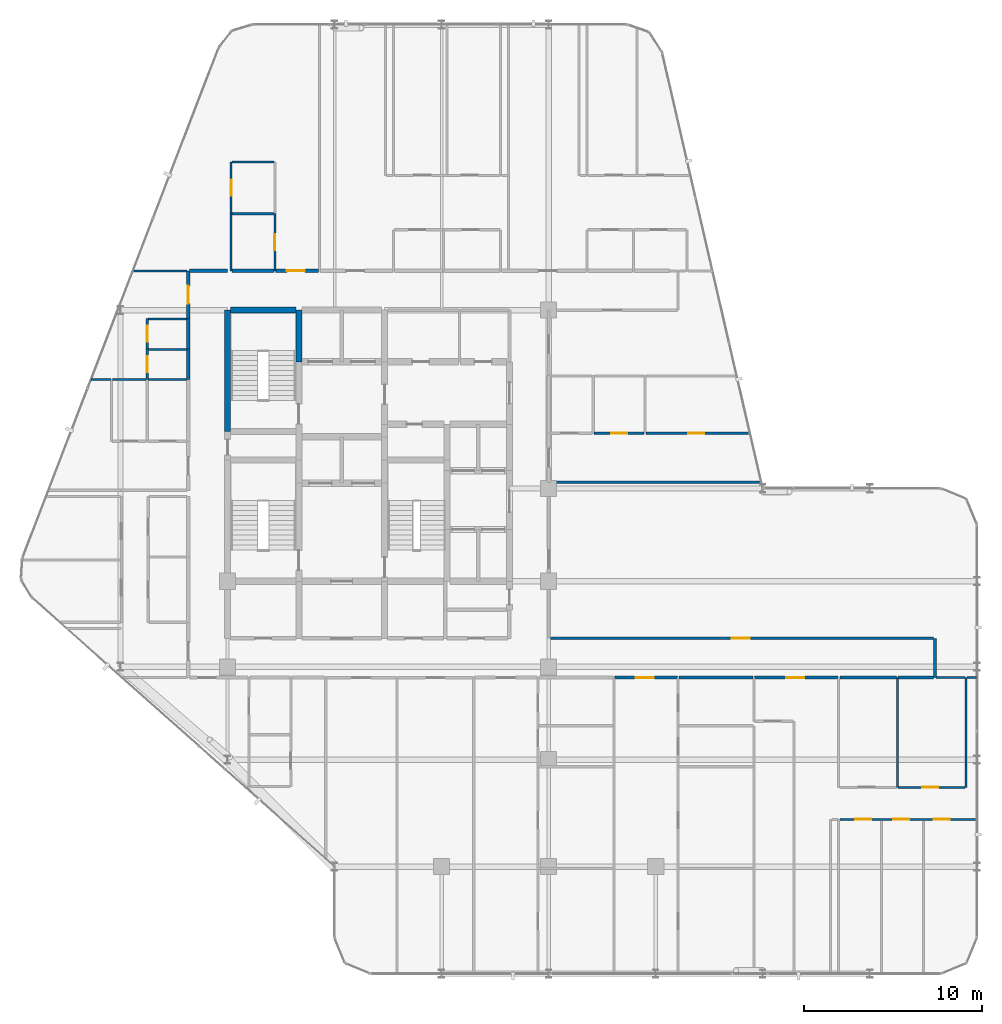
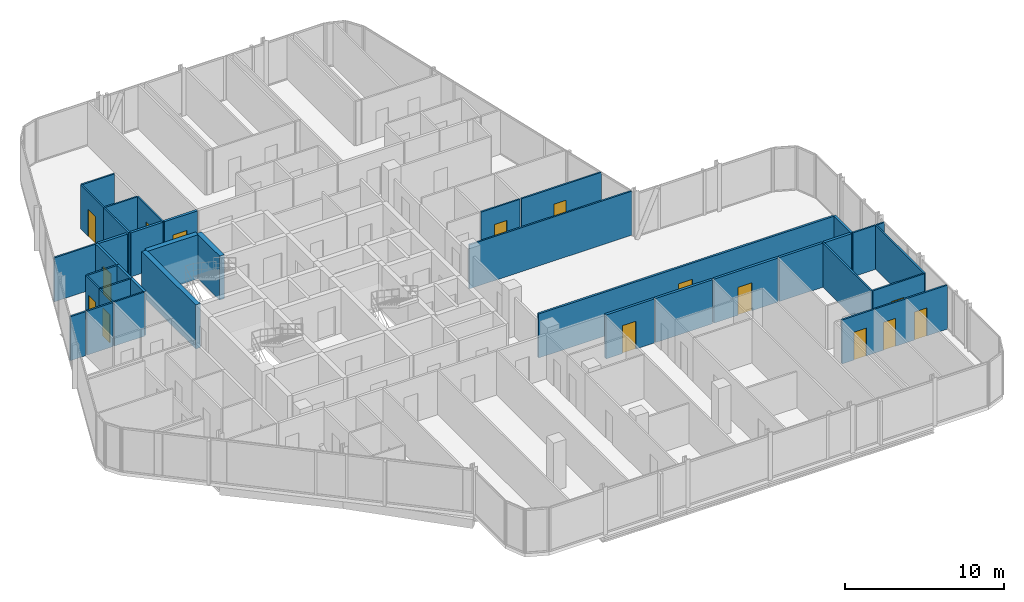
# One storey, part 26 of 29: 38 walls, 15 doors, 15 openings.
"""IFC4 building model written with IfcOpenShell, lengths in metres."""

from ifc_helpers import new_model, si_unit, direction, frame, frame_2d, origin, place, context, subcontext, project, spatial, rectangle, extrude, material, layer, layer_set, type_object, element, fill, save


model = new_model("IFC4")

# Units and contexts
model_context = context("Model", 3, precision=1e-05, world=origin(), true_north=direction((0.0, 1.0)))
body_context = subcontext(model_context, "Body", "Model", "MODEL_VIEW")
ifc_project = project(units=[si_unit("LENGTHUNIT", "METRE"), si_unit("AREAUNIT", "SQUARE_METRE"), si_unit("VOLUMEUNIT", "CUBIC_METRE"), si_unit("PLANEANGLEUNIT", "RADIAN"), si_unit("MASSUNIT", "GRAM", prefix="KILO")], contexts=[model_context])

# Site, building, storey
site_placement = place(None, origin())
site = spatial("IfcSite", under=ifc_project, at=site_placement, CompositionType="ELEMENT")
building_placement = place(site_placement, origin())
building = spatial("IfcBuilding", under=site, at=building_placement, Name="Keshet Zoharim Tower", CompositionType="ELEMENT")
storey_placement = place(building_placement, frame((0.0, 0.0, 195.800048828125)))
storey = spatial("IfcBuildingStorey", under=building, at=storey_placement, Name="L48", CompositionType="ELEMENT", Elevation=195.800048828125)

# Wall
ifc_material_1 = material(Name="Gypsum Plasterboard", Category="gypsum")
ifc_layer_1 = layer(ifc_material_1, 0.14990234375)
ifc_layer_set_1 = layer_set([ifc_layer_1], Name="Gypsum Plasterboard")
wall_type_1 = type_object("IfcWallType", Name="WL-CLIN-150", PredefinedType="STANDARD", material=ifc_layer_set_1)
wall_1_placement = place(storey_placement, frame((54.64990234375, 17.31005859375, 0.0), z_axis=(0.0, 0.0, 1.0), x_axis=(0.0, 1.0, 0.0)))
element("IfcWall", 1, at=wall_1_placement, inside=storey, type_object=wall_type_1, Name="L48 Interior Wall 102", PredefinedType="STANDARD", context=body_context, shape_type="SweptSolid", body=[
    extrude(rectangle(XDim=2.18994140625, YDim=0.14990234375, at=frame_2d((1.094970703125, 0.0))), origin(), (0.0, 0.0, 1.0), 3.389892578125),
])

# Wall, opening, door
wall_2_placement = place(storey_placement, frame((33.070068359375, 19.5, 0.0), z_axis=(0.0, 0.0, 1.0), x_axis=(1.0, 0.0, 0.0)))
wall_2 = element("IfcWall", 2, at=wall_2_placement, inside=storey, type_object=wall_type_1, Name="L48 Interior Wall 136", PredefinedType="STANDARD", context=body_context, shape_type="SweptSolid", body=[
    extrude(rectangle(XDim=21.510009765625, YDim=0.14990234375, at=frame_2d((10.7548828125, 0.0))), origin(), (0.0, 0.0, 1.0), 3.389892578125),
])
opening_1_placement = place(wall_2_placement, frame((10.18505859375, 0.0, 0.0)))
opening_1 = element("IfcOpeningElement", 3, at=opening_1_placement, cuts=wall_2, Name="Opening D-F310", PredefinedType="OPENING", context=body_context, shape_type="SweptSolid", body=[
    extrude(rectangle(XDim=1.0, YDim=2.14990234375, at=frame_2d((0.5, 1.074951171875))), frame((0.0, 0.0849609375, 0.0), z_axis=(0.0, -1.0, 0.0), x_axis=(1.0, 0.0, 0.0)), (0.0, 0.0, 1.0), 0.169921875),
])
ifc_material_2 = material(Name="Hardwood Timber", Category="wood")
door_type_1 = type_object("IfcDoorType", Name="DR-FD30-100", OperationType="NOTDEFINED", PredefinedType="DOOR", material=ifc_material_2)
door_1_placement = place(opening_1_placement, origin())
door_1 = element("IfcDoor", 4, at=door_1_placement, inside=storey, type_object=door_type_1, Name="L48 South East Residents Services Suite Door 1", OperationType="SINGLE_SWING_RIGHT", OverallHeight=2.14990234375, OverallWidth=1.0, PredefinedType="DOOR", context=body_context, shape_type="SweptSolid", body=[
    extrude(rectangle(XDim=1.0, YDim=2.14990234375, at=frame_2d((0.5, 1.074951171875))), frame((0.0, 0.02490234375, 0.0), z_axis=(0.0, -1.0, 0.0), x_axis=(1.0, 0.0, 0.0)), (0.0, 0.0, 1.0), 0.050048828125),
])
fill(opening_1, door_1)

# Walls
ifc_material_3 = material(Name="Concrete C60/75", Category="concrete")
ifc_layer_2 = layer(ifc_material_3, 0.35009765625)
ifc_layer_set_2 = layer_set([ifc_layer_2], Name="Concrete C60/75")
wall_type_2 = type_object("IfcWallType", Name="WL-CORE-350", PredefinedType="SHEAR", material=ifc_layer_set_2)
wall_3_placement = place(storey_placement, frame((15.0, 31.10009765625, 0.0), z_axis=(0.0, 0.0, 1.0), x_axis=(0.0, 1.0, 0.0)))
element("IfcWall", 5, at=wall_3_placement, inside=storey, type_object=wall_type_2, Name="L48 Core Shear Wall 019", PredefinedType="SHEAR", context=body_context, shape_type="SweptSolid", body=[
    extrude(rectangle(XDim=6.7998046875, YDim=0.35009765625, at=frame_2d((3.39990234375, 0.0))), origin(), (0.0, 0.0, 1.0), 3.389892578125),
])
wall_4_placement = place(storey_placement, frame((19.0, 35.0, 0.0), z_axis=(0.0, 0.0, 1.0), x_axis=(0.0, 1.0, 0.0)))
element("IfcWall", 6, at=wall_4_placement, inside=storey, type_object=wall_type_2, Name="L48 Core Shear Wall 032", PredefinedType="SHEAR", context=body_context, shape_type="SweptSolid", body=[
    extrude(rectangle(XDim=2.89990234375, YDim=0.35009765625, at=frame_2d((1.449951171875, 0.0))), origin(), (0.0, 0.0, 1.0), 3.389892578125),
])
wall_5_placement = place(storey_placement, frame((15.159912109375, 37.89990234375, 0.0), z_axis=(0.0, 0.0, 1.0), x_axis=(1.0, 0.0, 0.0)))
element("IfcWall", 7, at=wall_5_placement, inside=storey, type_object=wall_type_2, Name="L48 Core Shear Wall 177", PredefinedType="SHEAR", context=body_context, shape_type="SweptSolid", body=[
    extrude(rectangle(XDim=3.68017578125, YDim=0.35009765625, at=frame_2d((1.840087890625, 0.0))), origin(), (0.0, 0.0, 1.0), 3.389892578125),
])
ifc_layer_3 = layer(ifc_material_1, 0.179931640625)
ifc_layer_set_3 = layer_set([ifc_layer_3], Name="Gypsum Plasterboard")
wall_type_3 = type_object("IfcWallType", Name="WL-CORR-180", PredefinedType="STANDARD", material=ifc_layer_set_3)
for number, where, z_axis, x_axis, name in (
    (8, (12.800048828125, 34.0, 0.0), (0.0, 0.0, 1.0), (0.0, 1.0, 0.0), "L48 Interior Wall 013"),
    (9, (12.800048828125, 35.7080078125, 0.0), (0.0, 0.0, 1.0), (0.0, 1.0, 0.0), "L48 Interior Wall 014"),
):
    element("IfcWall", number, at=place(storey_placement, frame(where, z_axis=z_axis, x_axis=x_axis)), inside=storey, type_object=wall_type_3, Name=name, PredefinedType="STANDARD", context=body_context, shape_type="SweptSolid", body=[
        extrude(rectangle(XDim=1.7080078125, YDim=0.179931640625, at=frame_2d((0.85400390625, 0.0))), origin(), (0.0, 0.0, 1.0), 3.389892578125),
    ])

# Wall, opening, door
wall_6_placement = place(storey_placement, frame((12.800048828125, 37.416015625, 0.0), z_axis=(0.0, 0.0, 1.0), x_axis=(0.0, 1.0, 0.0)))
wall_6 = element("IfcWall", 10, at=wall_6_placement, inside=storey, type_object=wall_type_3, Name="L48 Interior Wall 015", PredefinedType="STANDARD", context=body_context, shape_type="SweptSolid", body=[
    extrude(rectangle(XDim=2.68408203125, YDim=0.179931640625, at=frame_2d((1.342041015625, 0.0))), origin(), (0.0, 0.0, 1.0), 3.389892578125),
])
opening_2_placement = place(wall_6_placement, frame((0.842041015625, 0.0, 0.0)))
opening_2 = element("IfcOpeningElement", 11, at=opening_2_placement, cuts=wall_6, Name="Opening D-F310", PredefinedType="OPENING", context=body_context, shape_type="SweptSolid", body=[
    extrude(rectangle(XDim=1.0, YDim=2.14990234375, at=frame_2d((0.5, 1.074951171875))), frame((0.0, 0.10009765625, 0.0), z_axis=(0.0, -1.0, 0.0), x_axis=(1.0, 0.0, 0.0)), (0.0, 0.0, 1.0), 0.199951171875),
])
door_2_placement = place(opening_2_placement, origin())
door_2 = element("IfcDoor", 12, at=door_2_placement, inside=storey, type_object=door_type_1, Name="Apartment 4810 Entrance Door", OperationType="SINGLE_SWING_RIGHT", OverallHeight=2.14990234375, OverallWidth=1.0, PredefinedType="DOOR", context=body_context, shape_type="SweptSolid", body=[
    extrude(rectangle(XDim=1.0, YDim=2.14990234375, at=frame_2d((0.5, 1.074951171875))), frame((0.0, 0.02490234375, 0.0), z_axis=(0.0, -1.0, 0.0), x_axis=(1.0, 0.0, 0.0)), (0.0, 0.0, 1.0), 0.050048828125),
])
fill(opening_2, door_2)

wall_7_placement = place(storey_placement, frame((36.695068359375, 17.300048828125, 0.0), z_axis=(0.0, 0.0, 1.0), x_axis=(1.0, 0.0, 0.0)))
wall_7 = element("IfcWall", 13, at=wall_7_placement, inside=storey, type_object=wall_type_3, Name="L48 Interior Wall 125", PredefinedType="STANDARD", context=body_context, shape_type="SweptSolid", body=[
    extrude(rectangle(XDim=3.510009765625, YDim=0.179931640625, at=frame_2d((1.7548828125, 0.0))), origin(), (0.0, 0.0, 1.0), 3.389892578125),
])
opening_3_placement = place(wall_7_placement, frame((1.18505859375, 0.0, 0.0)))
opening_3 = element("IfcOpeningElement", 14, at=opening_3_placement, cuts=wall_7, Name="Opening D-F310", PredefinedType="OPENING", context=body_context, shape_type="SweptSolid", body=[
    extrude(rectangle(XDim=1.0, YDim=2.14990234375, at=frame_2d((0.5, 1.074951171875))), frame((0.0, 0.10009765625, 0.0), z_axis=(0.0, -1.0, 0.0), x_axis=(1.0, 0.0, 0.0)), (0.0, 0.0, 1.0), 0.199951171875),
])
door_3_placement = place(opening_3_placement, origin())
door_3 = element("IfcDoor", 15, at=door_3_placement, inside=storey, type_object=door_type_1, Name="Apartment 4803 Entrance Door", OperationType="SINGLE_SWING_RIGHT", OverallHeight=2.14990234375, OverallWidth=1.0, PredefinedType="DOOR", context=body_context, shape_type="SweptSolid", body=[
    extrude(rectangle(XDim=1.0, YDim=2.14990234375, at=frame_2d((0.5, 1.074951171875))), frame((0.0, 0.02490234375, 0.0), z_axis=(0.0, -1.0, 0.0), x_axis=(1.0, 0.0, 0.0)), (0.0, 0.0, 1.0), 0.050048828125),
])
fill(opening_3, door_3)

# Wall
wall_8_placement = place(storey_placement, frame((40.294921875, 17.300048828125, 0.0), z_axis=(0.0, 0.0, 1.0), x_axis=(1.0, 0.0, 0.0)))
element("IfcWall", 16, at=wall_8_placement, inside=storey, type_object=wall_type_3, Name="L48 Interior Wall 126", PredefinedType="STANDARD", context=body_context, shape_type="SweptSolid", body=[
    extrude(rectangle(XDim=4.16015625, YDim=0.179931640625, at=frame_2d((2.080078125, 0.0))), origin(), (0.0, 0.0, 1.0), 3.389892578125),
])

# Wall, opening, door
wall_9_placement = place(storey_placement, frame((44.544921875, 17.300048828125, 0.0), z_axis=(0.0, 0.0, 1.0), x_axis=(1.0, 0.0, 0.0)))
wall_9 = element("IfcWall", 17, at=wall_9_placement, inside=storey, type_object=wall_type_3, Name="L48 Interior Wall 127", PredefinedType="STANDARD", context=body_context, shape_type="SweptSolid", body=[
    extrude(rectangle(XDim=4.68017578125, YDim=0.179931640625, at=frame_2d((2.340087890625, 0.0))), origin(), (0.0, 0.0, 1.0), 3.389892578125),
])
opening_4_placement = place(wall_9_placement, frame((1.76904296875, 0.0, 0.0)))
opening_4 = element("IfcOpeningElement", 18, at=opening_4_placement, cuts=wall_9, Name="Opening D-F310", PredefinedType="OPENING", context=body_context, shape_type="SweptSolid", body=[
    extrude(rectangle(XDim=1.0, YDim=2.14990234375, at=frame_2d((0.5, 1.074951171875))), frame((0.0, 0.10009765625, 0.0), z_axis=(0.0, -1.0, 0.0), x_axis=(1.0, 0.0, 0.0)), (0.0, 0.0, 1.0), 0.199951171875),
])
door_4_placement = place(opening_4_placement, origin())
door_4 = element("IfcDoor", 19, at=door_4_placement, inside=storey, type_object=door_type_1, Name="Apartment 4804 Entrance Door", OperationType="SINGLE_SWING_LEFT", OverallHeight=2.14990234375, OverallWidth=1.0, PredefinedType="DOOR", context=body_context, shape_type="SweptSolid", body=[
    extrude(rectangle(XDim=1.0, YDim=2.14990234375, at=frame_2d((0.5, 1.074951171875))), frame((0.0, 0.02490234375, 0.0), z_axis=(0.0, -1.0, 0.0), x_axis=(1.0, 0.0, 0.0)), (0.0, 0.0, 1.0), 0.050048828125),
])
fill(opening_4, door_4)

# Walls
wall_10_placement = place(storey_placement, frame((49.31494140625, 17.300048828125, 0.0), z_axis=(0.0, 0.0, 1.0), x_axis=(1.0, 0.0, 0.0)))
element("IfcWall", 20, at=wall_10_placement, inside=storey, type_object=wall_type_3, Name="L48 Interior Wall 128", PredefinedType="STANDARD", context=body_context, shape_type="SweptSolid", body=[
    extrude(rectangle(XDim=3.18505859375, YDim=0.179931640625, at=frame_2d((1.592529296875, 0.0))), origin(), (0.0, 0.0, 1.0), 3.389892578125),
])
wall_11_placement = place(storey_placement, frame((52.590087890625, 17.300048828125, 0.0), z_axis=(0.0, 0.0, 1.0), x_axis=(1.0, 0.0, 0.0)))
element("IfcWall", 21, at=wall_11_placement, inside=storey, type_object=wall_type_3, Name="L48 Interior Wall 129", PredefinedType="STANDARD", context=body_context, shape_type="SweptSolid", body=[
    extrude(rectangle(XDim=1.989990234375, YDim=0.179931640625, at=frame_2d((0.9951171875, 0.0))), origin(), (0.0, 0.0, 1.0), 3.389892578125),
])
wall_12_placement = place(storey_placement, frame((12.875, 40.10009765625, 0.0), z_axis=(0.0, 0.0, 1.0), x_axis=(1.0, 0.0, 0.0)))
element("IfcWall", 22, at=wall_12_placement, inside=storey, type_object=wall_type_3, Name="L48 Interior Wall 183", PredefinedType="STANDARD", context=body_context, shape_type="SweptSolid", body=[
    extrude(rectangle(XDim=2.125, YDim=0.179931640625, at=frame_2d((1.0625, 0.0))), origin(), (0.0, 0.0, 1.0), 3.389892578125),
])
wall_13_placement = place(storey_placement, frame((15.2451171875, 40.10009765625, 0.0), z_axis=(0.0, 0.0, 1.0), x_axis=(1.0, 0.0, 0.0)))
element("IfcWall", 23, at=wall_13_placement, inside=storey, type_object=wall_type_3, Name="L48 Interior Wall 184", PredefinedType="STANDARD", context=body_context, shape_type="SweptSolid", body=[
    extrude(rectangle(XDim=2.35986328125, YDim=0.179931640625, at=frame_2d((1.179931640625, 0.0))), origin(), (0.0, 0.0, 1.0), 3.389892578125),
])

# Wall, opening, door
wall_14_placement = place(storey_placement, frame((17.695068359375, 40.10009765625, 0.0), z_axis=(0.0, 0.0, 1.0), x_axis=(1.0, 0.0, 0.0)))
wall_14 = element("IfcWall", 24, at=wall_14_placement, inside=storey, type_object=wall_type_3, Name="L48 Interior Wall 185", PredefinedType="STANDARD", context=body_context, shape_type="SweptSolid", body=[
    extrude(rectangle(XDim=2.409912109375, YDim=0.179931640625, at=frame_2d((1.205078125, 0.0))), origin(), (0.0, 0.0, 1.0), 3.389892578125),
])
opening_5_placement = place(wall_14_placement, frame((0.634033203125, 0.0, 0.0)))
opening_5 = element("IfcOpeningElement", 25, at=opening_5_placement, cuts=wall_14, Name="Opening D-F310", PredefinedType="OPENING", context=body_context, shape_type="SweptSolid", body=[
    extrude(rectangle(XDim=1.0, YDim=2.14990234375, at=frame_2d((0.5, 1.074951171875))), frame((0.0, 0.10009765625, 0.0), z_axis=(0.0, -1.0, 0.0), x_axis=(1.0, 0.0, 0.0)), (0.0, 0.0, 1.0), 0.199951171875),
])
door_5_placement = place(opening_5_placement, origin())
door_5 = element("IfcDoor", 26, at=door_5_placement, inside=storey, type_object=door_type_1, Name="Apartment 4805 Entrance Door", OperationType="SINGLE_SWING_LEFT", OverallHeight=2.14990234375, OverallWidth=1.0, PredefinedType="DOOR", context=body_context, shape_type="SweptSolid", body=[
    extrude(rectangle(XDim=1.0, YDim=2.14990234375, at=frame_2d((0.5, 1.074951171875))), frame((0.0, 0.02490234375, 0.0), z_axis=(0.0, -1.0, 0.0), x_axis=(1.0, 0.0, 0.0)), (0.0, 0.0, 1.0), 0.050048828125),
])
fill(opening_5, door_5)

ifc_layer_4 = layer(ifc_material_1, 0.1201171875)
ifc_layer_set_4 = layer_set([ifc_layer_4], Name="Gypsum Plasterboard")
wall_type_4 = type_object("IfcWallType", Name="WL-PART-120", PredefinedType="PARTITIONING", material=ifc_layer_set_4)
wall_15_placement = place(storey_placement, frame((10.5, 34.0, 0.0), z_axis=(0.0, 0.0, 1.0), x_axis=(0.0, 1.0, 0.0)))
wall_15 = element("IfcWall", 27, at=wall_15_placement, inside=storey, type_object=wall_type_4, Name="L48 Interior Wall 004", PredefinedType="PARTITIONING", context=body_context, shape_type="SweptSolid", body=[
    extrude(rectangle(XDim=1.7080078125, YDim=0.1201171875, at=frame_2d((0.85400390625, 0.0))), origin(), (0.0, 0.0, 1.0), 3.389892578125),
])
opening_6_placement = place(wall_15_placement, frame((0.404052734375, 0.0, 0.0)))
opening_6 = element("IfcOpeningElement", 28, at=opening_6_placement, cuts=wall_15, Name="Opening D-IN90", PredefinedType="OPENING", context=body_context, shape_type="SweptSolid", body=[
    extrude(rectangle(XDim=0.89990234375, YDim=2.14990234375, at=frame_2d((0.449951171875, 1.074951171875))), frame((0.0, 0.070068359375, 0.0), z_axis=(0.0, -1.0, 0.0), x_axis=(1.0, 0.0, 0.0)), (0.0, 0.0, 1.0), 0.14013671875),
])
door_type_2 = type_object("IfcDoorType", Name="DR-INT-090", OperationType="NOTDEFINED", PredefinedType="DOOR", material=ifc_material_2)
door_6_placement = place(opening_6_placement, origin())
door_6 = element("IfcDoor", 29, at=door_6_placement, inside=storey, type_object=door_type_2, Name="Apartment 4810 Kitchenette Door", OperationType="SINGLE_SWING_RIGHT", OverallHeight=2.14990234375, OverallWidth=0.89990234375, PredefinedType="DOOR", context=body_context, shape_type="SweptSolid", body=[
    extrude(rectangle(XDim=0.89990234375, YDim=2.14990234375, at=frame_2d((0.449951171875, 1.074951171875))), frame((0.0, 0.02490234375, 0.0), z_axis=(0.0, -1.0, 0.0), x_axis=(1.0, 0.0, 0.0)), (0.0, 0.0, 1.0), 0.050048828125),
])
fill(opening_6, door_6)

# Wall
wall_16_placement = place(storey_placement, frame((15.199951171875, 40.10009765625, 0.0), z_axis=(0.0, 0.0, 1.0), x_axis=(0.0, 1.0, 0.0)))
element("IfcWall", 30, at=wall_16_placement, inside=storey, type_object=wall_type_4, Name="L48 Interior Wall 020", PredefinedType="PARTITIONING", context=body_context, shape_type="SweptSolid", body=[
    extrude(rectangle(XDim=3.199951171875, YDim=0.1201171875, at=frame_2d((1.60009765625, 0.0))), origin(), (0.0, 0.0, 1.0), 3.389892578125),
])

# Wall, opening, door
wall_17_placement = place(storey_placement, frame((17.64990234375, 40.10009765625, 0.0), z_axis=(0.0, 0.0, 1.0), x_axis=(0.0, 1.0, 0.0)))
wall_17 = element("IfcWall", 31, at=wall_17_placement, inside=storey, type_object=wall_type_4, Name="L48 Interior Wall 024", PredefinedType="PARTITIONING", context=body_context, shape_type="SweptSolid", body=[
    extrude(rectangle(XDim=3.199951171875, YDim=0.1201171875, at=frame_2d((1.60009765625, 0.0))), origin(), (0.0, 0.0, 1.0), 3.389892578125),
])
opening_7_placement = place(wall_17_placement, frame((1.14990234375, 0.0, 0.0)))
opening_7 = element("IfcOpeningElement", 32, at=opening_7_placement, cuts=wall_17, Name="Opening D-IN90", PredefinedType="OPENING", context=body_context, shape_type="SweptSolid", body=[
    extrude(rectangle(XDim=0.89990234375, YDim=2.14990234375, at=frame_2d((0.449951171875, 1.074951171875))), frame((0.0, 0.070068359375, 0.0), z_axis=(0.0, -1.0, 0.0), x_axis=(1.0, 0.0, 0.0)), (0.0, 0.0, 1.0), 0.14013671875),
])
door_7_placement = place(opening_7_placement, origin())
door_7 = element("IfcDoor", 33, at=door_7_placement, inside=storey, type_object=door_type_2, Name="Apartment 4805 Kitchenette Door", OperationType="SINGLE_SWING_RIGHT", OverallHeight=2.14990234375, OverallWidth=0.89990234375, PredefinedType="DOOR", context=body_context, shape_type="SweptSolid", body=[
    extrude(rectangle(XDim=0.89990234375, YDim=2.14990234375, at=frame_2d((0.449951171875, 1.074951171875))), frame((0.0, 0.02490234375, 0.0), z_axis=(0.0, -1.0, 0.0), x_axis=(1.0, 0.0, 0.0)), (0.0, 0.0, 1.0), 0.050048828125),
])
fill(opening_7, door_7)

# Wall, openings, doors
wall_18_placement = place(storey_placement, frame((49.31494140625, 9.35009765625, 0.0), z_axis=(0.0, 0.0, 1.0), x_axis=(1.0, 0.0, 0.0)))
wall_18 = element("IfcWall", 34, at=wall_18_placement, inside=storey, type_object=wall_type_4, Name="L48 Interior Wall 107", PredefinedType="PARTITIONING", context=body_context, shape_type="SweptSolid", body=[
    extrude(rectangle(XDim=7.675048828125, YDim=0.1201171875, at=frame_2d((3.83740234375, 0.0))), origin(), (0.0, 0.0, 1.0), 3.389892578125),
])
opening_8_placement = place(wall_18_placement, frame((0.866943359375, 0.0, 0.0)))
opening_8 = element("IfcOpeningElement", 35, at=opening_8_placement, cuts=wall_18, Name="Opening D-IN90", PredefinedType="OPENING", context=body_context, shape_type="SweptSolid", body=[
    extrude(rectangle(XDim=0.89990234375, YDim=2.14990234375, at=frame_2d((0.449951171875, 1.074951171875))), frame((0.0, 0.070068359375, 0.0), z_axis=(0.0, -1.0, 0.0), x_axis=(1.0, 0.0, 0.0)), (0.0, 0.0, 1.0), 0.14013671875),
])
opening_9_placement = place(wall_18_placement, frame((2.993896484375, 0.0, 0.0)))
opening_9 = element("IfcOpeningElement", 36, at=opening_9_placement, cuts=wall_18, Name="Opening D-IN90", PredefinedType="OPENING", context=body_context, shape_type="SweptSolid", body=[
    extrude(rectangle(XDim=0.89990234375, YDim=2.14990234375, at=frame_2d((0.449951171875, 1.074951171875))), frame((0.0, 0.070068359375, 0.0), z_axis=(0.0, -1.0, 0.0), x_axis=(1.0, 0.0, 0.0)), (0.0, 0.0, 1.0), 0.14013671875),
])
opening_10_placement = place(wall_18_placement, frame((5.263916015625, 0.0, 0.0)))
opening_10 = element("IfcOpeningElement", 37, at=opening_10_placement, cuts=wall_18, Name="Opening D-IN90", PredefinedType="OPENING", context=body_context, shape_type="SweptSolid", body=[
    extrude(rectangle(XDim=0.89990234375, YDim=2.14990234375, at=frame_2d((0.449951171875, 1.074951171875))), frame((0.0, 0.070068359375, 0.0), z_axis=(0.0, -1.0, 0.0), x_axis=(1.0, 0.0, 0.0)), (0.0, 0.0, 1.0), 0.14013671875),
])
door_8_placement = place(opening_8_placement, origin())
door_8 = element("IfcDoor", 38, at=door_8_placement, inside=storey, type_object=door_type_2, Name="Apartment 4804 Bedroom 1 Door", OperationType="SINGLE_SWING_RIGHT", OverallHeight=2.14990234375, OverallWidth=0.89990234375, PredefinedType="DOOR", context=body_context, shape_type="SweptSolid", body=[
    extrude(rectangle(XDim=0.89990234375, YDim=2.14990234375, at=frame_2d((0.449951171875, 1.074951171875))), frame((0.0, 0.02490234375, 0.0), z_axis=(0.0, -1.0, 0.0), x_axis=(1.0, 0.0, 0.0)), (0.0, 0.0, 1.0), 0.050048828125),
])
fill(opening_8, door_8)
door_9_placement = place(opening_9_placement, origin())
door_9 = element("IfcDoor", 39, at=door_9_placement, inside=storey, type_object=door_type_2, Name="Apartment 4804 Bedroom 2 Door", OperationType="SINGLE_SWING_LEFT", OverallHeight=2.14990234375, OverallWidth=0.89990234375, PredefinedType="DOOR", context=body_context, shape_type="SweptSolid", body=[
    extrude(rectangle(XDim=0.89990234375, YDim=2.14990234375, at=frame_2d((0.449951171875, 1.074951171875))), frame((0.0, 0.02490234375, 0.0), z_axis=(0.0, -1.0, 0.0), x_axis=(1.0, 0.0, 0.0)), (0.0, 0.0, 1.0), 0.050048828125),
])
fill(opening_9, door_9)
door_10_placement = place(opening_10_placement, origin())
door_10 = element("IfcDoor", 40, at=door_10_placement, inside=storey, type_object=door_type_2, Name="Apartment 4804 Bedroom 3 Door", OperationType="SINGLE_SWING_RIGHT", OverallHeight=2.14990234375, OverallWidth=0.89990234375, PredefinedType="DOOR", context=body_context, shape_type="SweptSolid", body=[
    extrude(rectangle(XDim=0.89990234375, YDim=2.14990234375, at=frame_2d((0.449951171875, 1.074951171875))), frame((0.0, 0.02490234375, 0.0), z_axis=(0.0, -1.0, 0.0), x_axis=(1.0, 0.0, 0.0)), (0.0, 0.0, 1.0), 0.050048828125),
])
fill(opening_10, door_10)

# Walls
wall_19_placement = place(storey_placement, frame((56.43505859375, 17.300048828125, 0.0), z_axis=(0.0, 0.0, 1.0), x_axis=(1.0, 0.0, 0.0)))
element("IfcWall", 41, at=wall_19_placement, inside=storey, type_object=wall_type_4, Name="L48 Interior Wall 131", PredefinedType="PARTITIONING", context=body_context, shape_type="SweptSolid", body=[
    extrude(rectangle(XDim=0.554931640625, YDim=0.1201171875, at=frame_2d((0.27734375, 0.0))), origin(), (0.0, 0.0, 1.0), 3.389892578125),
])
wall_20_placement = place(storey_placement, frame((33.0849609375, 28.25, 0.0), z_axis=(0.0, 0.0, 1.0), x_axis=(1.0, 0.0, 0.0)))
element("IfcWall", 42, at=wall_20_placement, inside=storey, type_object=wall_type_4, Name="L48 Interior Wall 153", PredefinedType="PARTITIONING", context=body_context, shape_type="SweptSolid", body=[
    extrude(rectangle(XDim=11.823974609375, YDim=0.1201171875, at=frame_2d((5.912109375, 0.0))), origin(), (0.0, 0.0, 1.0), 3.389892578125),
])

# Wall, opening, door
wall_21_placement = place(storey_placement, frame((38.445068359375, 31.0, 0.0), z_axis=(0.0, 0.0, 1.0), x_axis=(1.0, 0.0, 0.0)))
wall_21 = element("IfcWall", 43, at=wall_21_placement, inside=storey, type_object=wall_type_4, Name="L48 Interior Wall 162", PredefinedType="PARTITIONING", context=body_context, shape_type="SweptSolid", body=[
    extrude(rectangle(XDim=5.829833984375, YDim=0.1201171875, at=frame_2d((2.9150390625, 0.0))), origin(), (0.0, 0.0, 1.0), 3.389892578125),
])
opening_11_placement = place(wall_21_placement, frame((2.368896484375, 0.0, 0.0)))
opening_11 = element("IfcOpeningElement", 44, at=opening_11_placement, cuts=wall_21, Name="Opening D-IN90", PredefinedType="OPENING", context=body_context, shape_type="SweptSolid", body=[
    extrude(rectangle(XDim=0.89990234375, YDim=2.14990234375, at=frame_2d((0.449951171875, 1.074951171875))), frame((0.0, 0.070068359375, 0.0), z_axis=(0.0, -1.0, 0.0), x_axis=(1.0, 0.0, 0.0)), (0.0, 0.0, 1.0), 0.14013671875),
])
door_11_placement = place(opening_11_placement, origin())
door_11 = element("IfcDoor", 45, at=door_11_placement, inside=storey, type_object=door_type_2, Name="Apartment 4811 Bedroom 1 Door", OperationType="SINGLE_SWING_RIGHT", OverallHeight=2.14990234375, OverallWidth=0.89990234375, PredefinedType="DOOR", context=body_context, shape_type="SweptSolid", body=[
    extrude(rectangle(XDim=0.89990234375, YDim=2.14990234375, at=frame_2d((0.449951171875, 1.074951171875))), frame((0.0, 0.02490234375, 0.0), z_axis=(0.0, -1.0, 0.0), x_axis=(1.0, 0.0, 0.0)), (0.0, 0.0, 1.0), 0.050048828125),
])
fill(opening_11, door_11)

# Walls
wall_22_placement = place(storey_placement, frame((7.35595703125, 34.0, 0.0), z_axis=(0.0, 0.0, 1.0), x_axis=(1.0, 0.0, 0.0)))
element("IfcWall", 46, at=wall_22_placement, inside=storey, type_object=wall_type_4, Name="L48 Interior Wall 166", PredefinedType="PARTITIONING", context=body_context, shape_type="SweptSolid", body=[
    extrude(rectangle(XDim=1.09912109375, YDim=0.1201171875, at=frame_2d((0.549560546875, 0.0))), origin(), (0.0, 0.0, 1.0), 3.389892578125),
])
wall_23_placement = place(storey_placement, frame((8.544921875, 34.0, 0.0), z_axis=(0.0, 0.0, 1.0), x_axis=(1.0, 0.0, 0.0)))
element("IfcWall", 47, at=wall_23_placement, inside=storey, type_object=wall_type_4, Name="L48 Interior Wall 167", PredefinedType="PARTITIONING", context=body_context, shape_type="SweptSolid", body=[
    extrude(rectangle(XDim=1.88818359375, YDim=0.1201171875, at=frame_2d((0.944091796875, 0.0))), origin(), (0.0, 0.0, 1.0), 3.389892578125),
])
wall_24_placement = place(storey_placement, frame((9.701904296875, 40.10009765625, 0.0), z_axis=(0.0, 0.0, 1.0), x_axis=(1.0, 0.0, 0.0)))
element("IfcWall", 48, at=wall_24_placement, inside=storey, type_object=wall_type_4, Name="L48 Interior Wall 182", PredefinedType="PARTITIONING", context=body_context, shape_type="SweptSolid", body=[
    extrude(rectangle(XDim=3.023193359375, YDim=0.1201171875, at=frame_2d((1.51171875, 0.0))), origin(), (0.0, 0.0, 1.0), 3.389892578125),
])

# Wall, opening, door
ifc_layer_5 = layer(ifc_material_1, 0.1201171875)
ifc_layer_set_5 = layer_set([ifc_layer_5], Name="Gypsum Plasterboard")
wall_type_5 = type_object("IfcWallType", Name="WL-WET-120", PredefinedType="PARTITIONING", material=ifc_layer_set_5)
wall_25_placement = place(storey_placement, frame((10.5, 35.7080078125, 0.0), z_axis=(0.0, 0.0, 1.0), x_axis=(0.0, 1.0, 0.0)))
wall_25 = element("IfcWall", 49, at=wall_25_placement, inside=storey, type_object=wall_type_5, Name="L48 Interior Wall 005", PredefinedType="PARTITIONING", context=body_context, shape_type="SweptSolid", body=[
    extrude(rectangle(XDim=1.7080078125, YDim=0.1201171875, at=frame_2d((0.85400390625, 0.0))), origin(), (0.0, 0.0, 1.0), 3.389892578125),
])
opening_12_placement = place(wall_25_placement, frame((0.404052734375, 0.0, 0.0)))
opening_12 = element("IfcOpeningElement", 50, at=opening_12_placement, cuts=wall_25, Name="Opening D-WT90", PredefinedType="OPENING", context=body_context, shape_type="SweptSolid", body=[
    extrude(rectangle(XDim=0.89990234375, YDim=2.10009765625, at=frame_2d((0.449951171875, 1.050048828125))), frame((0.0, 0.070068359375, 0.0), z_axis=(0.0, -1.0, 0.0), x_axis=(1.0, 0.0, 0.0)), (0.0, 0.0, 1.0), 0.14013671875),
])
door_type_3 = type_object("IfcDoorType", Name="DR-WET-090", OperationType="NOTDEFINED", PredefinedType="DOOR", material=ifc_material_2)
door_12_placement = place(opening_12_placement, origin())
door_12 = element("IfcDoor", 51, at=door_12_placement, inside=storey, type_object=door_type_3, Name="Apartment 4810 Bathroom Door", OperationType="SINGLE_SWING_LEFT", OverallHeight=2.10009765625, OverallWidth=0.89990234375, PredefinedType="DOOR", context=body_context, shape_type="SweptSolid", body=[
    extrude(rectangle(XDim=0.89990234375, YDim=2.10009765625, at=frame_2d((0.449951171875, 1.050048828125))), frame((0.0, 0.02490234375, 0.0), z_axis=(0.0, -1.0, 0.0), x_axis=(1.0, 0.0, 0.0)), (0.0, 0.0, 1.0), 0.050048828125),
])
fill(opening_12, door_12)

wall_26_placement = place(storey_placement, frame((15.199951171875, 43.300048828125, 0.0), z_axis=(0.0, 0.0, 1.0), x_axis=(0.0, 1.0, 0.0)))
wall_26 = element("IfcWall", 52, at=wall_26_placement, inside=storey, type_object=wall_type_5, Name="L48 Interior Wall 021", PredefinedType="PARTITIONING", context=body_context, shape_type="SweptSolid", body=[
    extrude(rectangle(XDim=2.89990234375, YDim=0.1201171875, at=frame_2d((1.449951171875, 0.0))), origin(), (0.0, 0.0, 1.0), 3.389892578125),
])
opening_13_placement = place(wall_26_placement, frame((1.0, 0.0, 0.0)))
opening_13 = element("IfcOpeningElement", 53, at=opening_13_placement, cuts=wall_26, Name="Opening D-WT90", PredefinedType="OPENING", context=body_context, shape_type="SweptSolid", body=[
    extrude(rectangle(XDim=0.89990234375, YDim=2.10009765625, at=frame_2d((0.449951171875, 1.050048828125))), frame((0.0, 0.070068359375, 0.0), z_axis=(0.0, -1.0, 0.0), x_axis=(1.0, 0.0, 0.0)), (0.0, 0.0, 1.0), 0.14013671875),
])
door_13_placement = place(opening_13_placement, origin())
door_13 = element("IfcDoor", 54, at=door_13_placement, inside=storey, type_object=door_type_3, Name="Apartment 4805 Bathroom Door", OperationType="SINGLE_SWING_RIGHT", OverallHeight=2.10009765625, OverallWidth=0.89990234375, PredefinedType="DOOR", context=body_context, shape_type="SweptSolid", body=[
    extrude(rectangle(XDim=0.89990234375, YDim=2.10009765625, at=frame_2d((0.449951171875, 1.050048828125))), frame((0.0, 0.02490234375, 0.0), z_axis=(0.0, -1.0, 0.0), x_axis=(1.0, 0.0, 0.0)), (0.0, 0.0, 1.0), 0.050048828125),
])
fill(opening_13, door_13)

# Walls
for number, where, z_axis, x_axis, name in (
    (55, (52.550048828125, 11.14990234375, 0.0), (0.0, 0.0, 1.0), (0.0, 1.0, 0.0), "L48 Interior Wall 100"),
    (56, (56.39990234375, 11.14990234375, 0.0), (0.0, 0.0, 1.0), (0.0, 1.0, 0.0), "L48 Interior Wall 103"),
):
    element("IfcWall", number, at=place(storey_placement, frame(where, z_axis=z_axis, x_axis=x_axis)), inside=storey, type_object=wall_type_5, Name=name, PredefinedType="PARTITIONING", context=body_context, shape_type="SweptSolid", body=[
        extrude(rectangle(XDim=6.150146484375, YDim=0.1201171875, at=frame_2d((3.0751953125, 0.0))), origin(), (0.0, 0.0, 1.0), 3.389892578125),
    ])

# Wall, opening, door
wall_27_placement = place(storey_placement, frame((52.590087890625, 11.14990234375, 0.0), z_axis=(0.0, 0.0, 1.0), x_axis=(1.0, 0.0, 0.0)))
wall_27 = element("IfcWall", 57, at=wall_27_placement, inside=storey, type_object=wall_type_5, Name="L48 Interior Wall 109", PredefinedType="PARTITIONING", context=body_context, shape_type="SweptSolid", body=[
    extrude(rectangle(XDim=3.7548828125, YDim=0.1201171875, at=frame_2d((1.87744140625, 0.0))), origin(), (0.0, 0.0, 1.0), 3.389892578125),
])
opening_14_placement = place(wall_27_placement, frame((1.35595703125, 0.0, 0.0)))
opening_14 = element("IfcOpeningElement", 58, at=opening_14_placement, cuts=wall_27, Name="Opening D-WT90", PredefinedType="OPENING", context=body_context, shape_type="SweptSolid", body=[
    extrude(rectangle(XDim=0.89990234375, YDim=2.10009765625, at=frame_2d((0.449951171875, 1.050048828125))), frame((0.0, 0.070068359375, 0.0), z_axis=(0.0, -1.0, 0.0), x_axis=(1.0, 0.0, 0.0)), (0.0, 0.0, 1.0), 0.14013671875),
])
door_14_placement = place(opening_14_placement, origin())
door_14 = element("IfcDoor", 59, at=door_14_placement, inside=storey, type_object=door_type_3, Name="Apartment 4804 Bathroom Door", OperationType="SINGLE_SWING_RIGHT", OverallHeight=2.10009765625, OverallWidth=0.89990234375, PredefinedType="DOOR", context=body_context, shape_type="SweptSolid", body=[
    extrude(rectangle(XDim=0.89990234375, YDim=2.10009765625, at=frame_2d((0.449951171875, 1.050048828125))), frame((0.0, 0.02490234375, 0.0), z_axis=(0.0, -1.0, 0.0), x_axis=(1.0, 0.0, 0.0)), (0.0, 0.0, 1.0), 0.050048828125),
])
fill(opening_14, door_14)

# Wall
wall_28_placement = place(storey_placement, frame((54.7099609375, 17.300048828125, 0.0), z_axis=(0.0, 0.0, 1.0), x_axis=(1.0, 0.0, 0.0)))
element("IfcWall", 60, at=wall_28_placement, inside=storey, type_object=wall_type_5, Name="L48 Interior Wall 130", PredefinedType="PARTITIONING", context=body_context, shape_type="SweptSolid", body=[
    extrude(rectangle(XDim=1.635009765625, YDim=0.1201171875, at=frame_2d((0.8173828125, 0.0))), origin(), (0.0, 0.0, 1.0), 3.389892578125),
])

# Wall, opening, door
wall_29_placement = place(storey_placement, frame((35.529052734375, 31.0, 0.0), z_axis=(0.0, 0.0, 1.0), x_axis=(1.0, 0.0, 0.0)))
wall_29 = element("IfcWall", 61, at=wall_29_placement, inside=storey, type_object=wall_type_5, Name="L48 Interior Wall 161", PredefinedType="PARTITIONING", context=body_context, shape_type="SweptSolid", body=[
    extrude(rectangle(XDim=2.825927734375, YDim=0.1201171875, at=frame_2d((1.4130859375, 0.0))), origin(), (0.0, 0.0, 1.0), 3.389892578125),
])
opening_15_placement = place(wall_29_placement, frame((0.962890625, 0.0, 0.0)))
opening_15 = element("IfcOpeningElement", 62, at=opening_15_placement, cuts=wall_29, Name="Opening D-WT90", PredefinedType="OPENING", context=body_context, shape_type="SweptSolid", body=[
    extrude(rectangle(XDim=0.89990234375, YDim=2.10009765625, at=frame_2d((0.449951171875, 1.050048828125))), frame((0.0, 0.070068359375, 0.0), z_axis=(0.0, -1.0, 0.0), x_axis=(1.0, 0.0, 0.0)), (0.0, 0.0, 1.0), 0.14013671875),
])
door_15_placement = place(opening_15_placement, origin())
door_15 = element("IfcDoor", 63, at=door_15_placement, inside=storey, type_object=door_type_3, Name="Apartment 4811 Bathroom Door", OperationType="SINGLE_SWING_LEFT", OverallHeight=2.10009765625, OverallWidth=0.89990234375, PredefinedType="DOOR", context=body_context, shape_type="SweptSolid", body=[
    extrude(rectangle(XDim=0.89990234375, YDim=2.10009765625, at=frame_2d((0.449951171875, 1.050048828125))), frame((0.0, 0.02490234375, 0.0), z_axis=(0.0, -1.0, 0.0), x_axis=(1.0, 0.0, 0.0)), (0.0, 0.0, 1.0), 0.050048828125),
])
fill(opening_15, door_15)

# Walls
for number, where, z_axis, x_axis, name in (
    (64, (10.544921875, 34.0, 0.0), (0.0, 0.0, 1.0), (1.0, 0.0, 0.0), "L48 Interior Wall 168"),
    (65, (10.544921875, 35.699951171875, 0.0), (0.0, 0.0, 1.0), (1.0, 0.0, 0.0), "L48 Interior Wall 175"),
    (66, (10.544921875, 37.39990234375, 0.0), (0.0, 0.0, 1.0), (1.0, 0.0, 0.0), "L48 Interior Wall 176"),
):
    element("IfcWall", number, at=place(storey_placement, frame(where, z_axis=z_axis, x_axis=x_axis)), inside=storey, type_object=wall_type_5, Name=name, PredefinedType="PARTITIONING", context=body_context, shape_type="SweptSolid", body=[
        extrude(rectangle(XDim=2.18017578125, YDim=0.1201171875, at=frame_2d((1.090087890625, 0.0))), origin(), (0.0, 0.0, 1.0), 3.389892578125),
    ])
for number, where, z_axis, x_axis, name in (
    (67, (15.2451171875, 43.300048828125, 0.0), (0.0, 0.0, 1.0), (1.0, 0.0, 0.0), "L48 Interior Wall 199"),
    (68, (15.2451171875, 46.199951171875, 0.0), (0.0, 0.0, 1.0), (1.0, 0.0, 0.0), "L48 Interior Wall 205"),
):
    element("IfcWall", number, at=place(storey_placement, frame(where, z_axis=z_axis, x_axis=x_axis)), inside=storey, type_object=wall_type_5, Name=name, PredefinedType="PARTITIONING", context=body_context, shape_type="SweptSolid", body=[
        extrude(rectangle(XDim=2.35986328125, YDim=0.1201171875, at=frame_2d((1.179931640625, 0.0))), origin(), (0.0, 0.0, 1.0), 3.389892578125),
    ])

save(model, "model.ifc")
